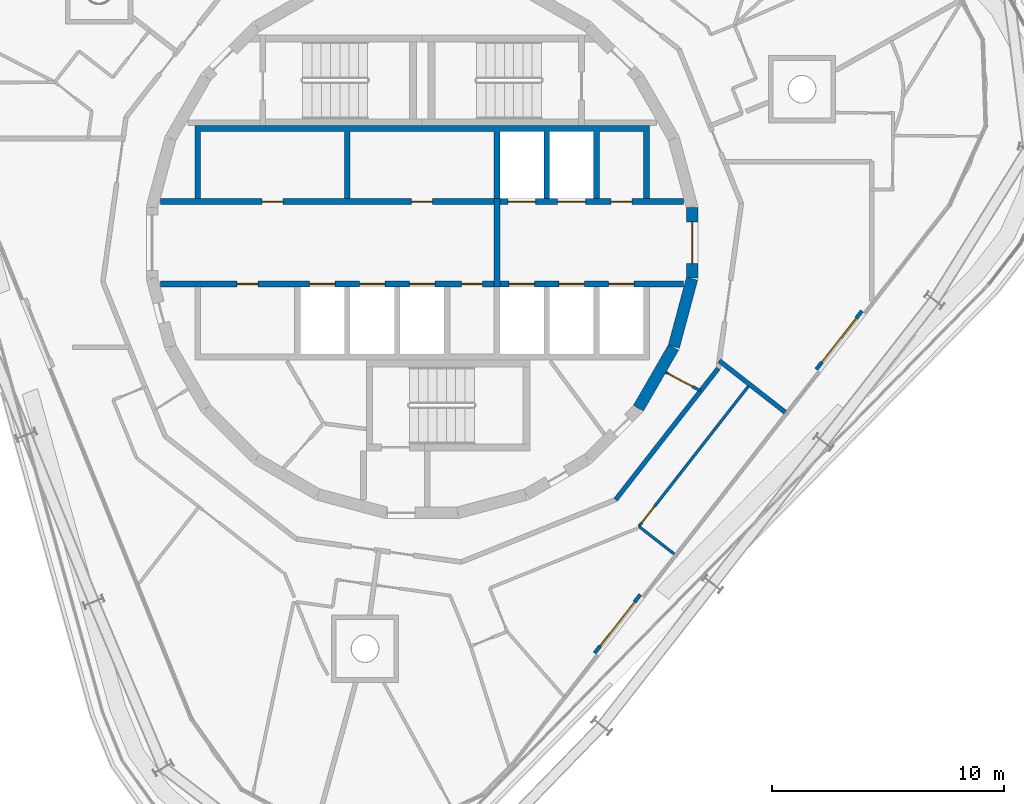
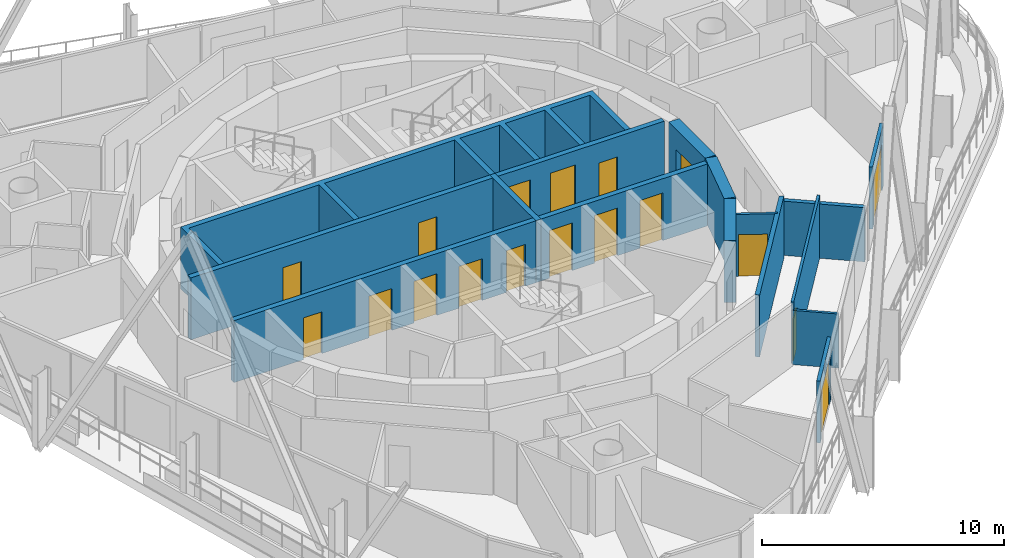
# One storey, part 11 of 17: 18 doors, 16 walls, 18 openings.
"""IFC4 building model written with IfcOpenShell, lengths in metres."""

from ifc_helpers import new_model, si_unit, direction, frame, frame_2d, origin, place, context, subcontext, project, spatial, polyline, rectangle, outline, extrude, material, layer, layer_set, type_object, element, fill, save


model = new_model("IFC4")

# Units and contexts
model_context = context("Model", 3, precision=1e-05, world=origin(), true_north=direction((0.0, 1.0)))
body_context = subcontext(model_context, "Body", "Model", "MODEL_VIEW")
ifc_project = project(units=[si_unit("LENGTHUNIT", "METRE"), si_unit("AREAUNIT", "SQUARE_METRE"), si_unit("VOLUMEUNIT", "CUBIC_METRE"), si_unit("PLANEANGLEUNIT", "RADIAN"), si_unit("MASSUNIT", "GRAM", prefix="KILO")], contexts=[model_context])

# Site, building, storey
site_placement = place(None, origin())
site = spatial("IfcSite", under=ifc_project, at=site_placement, CompositionType="ELEMENT")
building_placement = place(site_placement, origin())
building = spatial("IfcBuilding", under=site, at=building_placement, Name="Spindle Arch Residences", CompositionType="ELEMENT")
storey_placement = place(building_placement, frame((0.0, 0.0, 333.0)))
storey = spatial("IfcBuildingStorey", under=building, at=storey_placement, Name="L85", CompositionType="ELEMENT", Elevation=333.0)

# Walls
ifc_material_1 = material(Name="Concrete C50/60", Category="concrete")
ifc_layer_1 = layer(ifc_material_1, 0.5)
ifc_layer_set_1 = layer_set([ifc_layer_1], Name="Core outline wall 500")
wall_type_1 = type_object("IfcWallType", Name="Core outline wall 500", PredefinedType="SHEAR", material=ifc_layer_set_1)
for number, where, z_axis, x_axis, name in (
    (1, (9.32861328125, -7.13671875, 0.0), (0.0, 0.0, 1.0), (0.500087131594, 0.865975092491, 0.0), "Core outline wall 4"),
    (2, (10.858154296875, -4.479248046875, 0.0), (0.0, 0.0, 1.0), (0.258734743916, 0.965948410781, 0.0), "Core outline wall 5"),
):
    element("IfcWall", number, at=place(storey_placement, frame(where, z_axis=z_axis, x_axis=x_axis)), inside=storey, type_object=wall_type_1, Name=name, PredefinedType="SHEAR", context=body_context, shape_type="SweptSolid", body=[
        extrude(rectangle(XDim=3.03271484375, YDim=0.5, at=frame_2d((1.516357421875, 0.0))), origin(), (0.0, 0.0, 1.0), 3.1201171875),
    ])

# Wall, opening, door
wall_1_placement = place(storey_placement, frame((11.647216796875, -1.516357421875, 0.0), z_axis=(0.0, 0.0, 1.0), x_axis=(0.0, 1.0, 0.0)))
wall_1 = element("IfcWall", 3, at=wall_1_placement, inside=storey, type_object=wall_type_1, Name="Core outline wall 6", PredefinedType="SHEAR", context=body_context, shape_type="SweptSolid", body=[
    extrude(rectangle(XDim=3.03271484375, YDim=0.5, at=frame_2d((1.516357421875, 0.0))), origin(), (0.0, 0.0, 1.0), 3.1201171875),
])
opening_1_placement = place(wall_1_placement, frame((0.6162109375, 0.0, 0.0)))
opening_1 = element("IfcOpeningElement", 4, at=opening_1_placement, cuts=wall_1, Name="Opening R9A0-FE01", PredefinedType="OPENING", context=body_context, shape_type="SweptSolid", body=[
    extrude(rectangle(XDim=1.800048828125, YDim=2.10009765625, at=frame_2d((0.89990234375, 1.050048828125))), frame((0.0, 0.260009765625, 0.0), z_axis=(0.0, -1.0, 0.0), x_axis=(1.0, 0.0, 0.0)), (0.0, 0.0, 1.0), 0.52001953125),
])
ifc_material_2 = material(Name="Steel, fire-resisting door", Category="steel")
door_type_1 = type_object("IfcDoorType", Name="Fire-lift lobby door 1800x2100", OperationType="DOUBLE_DOOR_SINGLE_SWING", PredefinedType="DOOR", material=ifc_material_2)
door_1_placement = place(opening_1_placement, origin())
door_1 = element("IfcDoor", 5, at=door_1_placement, inside=storey, type_object=door_type_1, Name="Fire-lift lobby door R9A0-FE01", OperationType="DOUBLE_DOOR_SINGLE_SWING", OverallHeight=2.10009765625, OverallWidth=1.800048828125, PredefinedType="DOOR", context=body_context, shape_type="SweptSolid", body=[
    extrude(rectangle(XDim=1.800048828125, YDim=2.10009765625, at=frame_2d((0.89990234375, 1.050048828125))), frame((0.0, 0.02490234375, 0.0), z_axis=(0.0, -1.0, 0.0), x_axis=(1.0, 0.0, 0.0)), (0.0, 0.0, 1.0), 0.050048828125),
])
fill(opening_1, door_1)

ifc_material_3 = material(Name="Plasterboard on steel studs", Category="steel")
ifc_layer_2 = layer(ifc_material_3, 0.1201171875)
ifc_layer_set_2 = layer_set([ifc_layer_2], Name="Corridor division wall 120")
wall_type_2 = type_object("IfcWallType", Name="Corridor division wall 120", PredefinedType="PARTITIONING", material=ifc_layer_set_2)
wall_2_placement = place(storey_placement, frame((10.510986328125, -5.5888671875, 0.0), z_axis=(0.0, 0.0, 1.0), x_axis=(0.882959677414, -0.469448834337, 0.0)))
wall_2 = element("IfcWall", 6, at=wall_2_placement, inside=storey, type_object=wall_type_2, Name="Corridor division wall R9A0-W002", PredefinedType="PARTITIONING", context=body_context, shape_type="SweptSolid", body=[
    extrude(rectangle(XDim=1.7021484375, YDim=0.1201171875, at=frame_2d((0.85107421875, 0.0))), origin(), (0.0, 0.0, 1.0), 3.1201171875),
])
opening_2_placement = place(wall_2_placement, frame((0.10009765625, 0.0, 0.0)))
opening_2 = element("IfcOpeningElement", 7, at=opening_2_placement, cuts=wall_2, Name="Opening R9A0-CD02", PredefinedType="OPENING", context=body_context, shape_type="SweptSolid", body=[
    extrude(rectangle(XDim=1.199951171875, YDim=2.10009765625, at=frame_2d((0.60009765625, 1.050048828125))), frame((0.0, 0.070068359375, 0.0), z_axis=(0.0, -1.0, 0.0), x_axis=(1.0, 0.0, 0.0)), (0.0, 0.0, 1.0), 0.14013671875),
])
ifc_material_4 = material(Name="Steel, fire-resisting door", Category="steel")
door_type_2 = type_object("IfcDoorType", Name="Corridor division door 1200x2100", OperationType="NOTDEFINED", PredefinedType="DOOR", material=ifc_material_4)
door_2_placement = place(opening_2_placement, origin())
door_2 = element("IfcDoor", 8, at=door_2_placement, inside=storey, type_object=door_type_2, Name="Corridor division door R9A0-CD02", OperationType="DOUBLE_DOOR_SINGLE_SWING", OverallHeight=2.10009765625, OverallWidth=1.199951171875, PredefinedType="DOOR", context=body_context, shape_type="SweptSolid", body=[
    extrude(rectangle(XDim=1.199951171875, YDim=2.10009765625, at=frame_2d((0.60009765625, 1.050048828125))), frame((0.0, 0.02490234375, 0.0), z_axis=(0.0, -1.0, 0.0), x_axis=(1.0, 0.0, 0.0)), (0.0, 0.0, 1.0), 0.050048828125),
])
fill(opening_2, door_2)

# Walls
ifc_material_5 = material(Name="Calcium silicate block, plastered")
ifc_layer_3 = layer(ifc_material_5, 0.199951171875)
ifc_layer_set_3 = layer_set([ifc_layer_3], Name="Corridor wall 200")
wall_type_3 = type_object("IfcWallType", Name="Corridor wall 200", PredefinedType="STANDARD", material=ifc_layer_set_3)
wall_3_placement = place(storey_placement, frame((8.348876953125, -11.0791015625, 0.0), z_axis=(0.0, 0.0, 1.0), x_axis=(0.615669112324, 0.78800478687, 0.0)))
element("IfcWall", 9, at=wall_3_placement, inside=storey, type_object=wall_type_3, Name="Corridor wall R9A0-W008", PredefinedType="STANDARD", context=body_context, shape_type="SweptSolid", body=[
    extrude(rectangle(XDim=7.18115234375, YDim=0.199951171875, at=frame_2d((3.590576171875, 0.0))), origin(), (0.0, 0.0, 1.0), 3.1201171875),
])
ifc_material_6 = material(Name="Calcium silicate block, plastered")
ifc_layer_4 = layer(ifc_material_6, 0.199951171875)
ifc_layer_set_4 = layer_set([ifc_layer_4], Name="Fire-lift lobby bay wall 200 under beam 2730")
wall_type_4 = type_object("IfcWallType", Name="Fire-lift lobby bay wall 200 under beam 2730", PredefinedType="STANDARD", material=ifc_layer_set_4)
wall_4_placement = place(storey_placement, frame((12.81689453125, -5.086181640625, 0.0), z_axis=(0.0, 0.0, 1.0), x_axis=(0.787994616725, -0.615682129034, 0.0)))
element("IfcWall", 10, at=wall_4_placement, inside=storey, type_object=wall_type_4, Name="Fire-lift lobby bay wall R9A0-W022", PredefinedType="STANDARD", context=body_context, shape_type="SweptSolid", body=[
    extrude(rectangle(XDim=3.607177734375, YDim=0.199951171875, at=frame_2d((1.8037109375, 0.0))), origin(), (0.0, 0.0, 1.0), 2.72998046875),
])

# Wall, openings, doors
ifc_material_7 = material(Name="Concrete C40/50", Category="concrete")
ifc_layer_5 = layer(ifc_material_7, 0.25)
ifc_layer_set_5 = layer_set([ifc_layer_5], Name="Fire-lift lobby wall 250")
wall_type_5 = type_object("IfcWallType", Name="Fire-lift lobby wall 250", PredefinedType="SHEAR", material=ifc_layer_set_5)
wall_5_placement = place(storey_placement, frame((3.35009765625, 1.77490234375, 0.0), z_axis=(0.0, 0.0, 1.0), x_axis=(1.0, 0.0, 0.0)))
wall_5 = element("IfcWall", 11, at=wall_5_placement, inside=storey, type_object=wall_type_5, Name="Lift shaft front wall NE", PredefinedType="SHEAR", context=body_context, shape_type="SweptSolid", body=[
    extrude(rectangle(XDim=7.929931640625, YDim=0.25, at=frame_2d((3.96484375, 0.0))), origin(), (0.0, 0.0, 1.0), 3.1201171875),
])
opening_3_placement = place(wall_5_placement, frame((0.35009765625, 0.0, 0.0)))
opening_3 = element("IfcOpeningElement", 12, at=opening_3_placement, cuts=wall_5, Name="Opening R9A0-SLD01", PredefinedType="OPENING", context=body_context, shape_type="SweptSolid", body=[
    extrude(rectangle(XDim=1.199951171875, YDim=2.39990234375, at=frame_2d((0.60009765625, 1.199951171875))), frame((0.0, 0.135009765625, 0.0), z_axis=(0.0, -1.0, 0.0), x_axis=(1.0, 0.0, 0.0)), (0.0, 0.0, 1.0), 0.27001953125),
])
opening_4_placement = place(wall_5_placement, frame((2.5, 0.0, 0.0)))
opening_4 = element("IfcOpeningElement", 13, at=opening_4_placement, cuts=wall_5, Name="Opening R9A0-SLD02", PredefinedType="OPENING", context=body_context, shape_type="SweptSolid", body=[
    extrude(rectangle(XDim=1.199951171875, YDim=2.39990234375, at=frame_2d((0.60009765625, 1.199951171875))), frame((0.0, 0.135009765625, 0.0), z_axis=(0.0, -1.0, 0.0), x_axis=(1.0, 0.0, 0.0)), (0.0, 0.0, 1.0), 0.27001953125),
])
opening_5_placement = place(wall_5_placement, frame((4.800048828125, 0.0, 0.0)))
opening_5 = element("IfcOpeningElement", 14, at=opening_5_placement, cuts=wall_5, Name="Opening R9A0-WD03", PredefinedType="OPENING", context=body_context, shape_type="SweptSolid", body=[
    extrude(rectangle(XDim=0.89990234375, YDim=2.10009765625, at=frame_2d((0.449951171875, 1.050048828125))), frame((0.0, 0.135009765625, 0.0), z_axis=(0.0, -1.0, 0.0), x_axis=(1.0, 0.0, 0.0)), (0.0, 0.0, 1.0), 0.27001953125),
])
ifc_material_8 = material(Name="Steel, fire-resisting landing door", Category="steel")
door_type_3 = type_object("IfcDoorType", Name="Service lift landing door 1200x2400", OperationType="DOUBLE_DOOR_SLIDING", PredefinedType="DOOR", material=ifc_material_8)
door_3_placement = place(opening_3_placement, origin())
door_3 = element("IfcDoor", 15, at=door_3_placement, inside=storey, type_object=door_type_3, Name="Service lift landing door R9A0-SLD01", OperationType="DOUBLE_DOOR_SLIDING", OverallHeight=2.39990234375, OverallWidth=1.199951171875, PredefinedType="DOOR", context=body_context, shape_type="SweptSolid", body=[
    extrude(rectangle(XDim=1.199951171875, YDim=2.39990234375, at=frame_2d((0.60009765625, 1.199951171875))), frame((0.0, 0.02490234375, 0.0), z_axis=(0.0, -1.0, 0.0), x_axis=(1.0, 0.0, 0.0)), (0.0, 0.0, 1.0), 0.050048828125),
])
fill(opening_3, door_3)
door_4_placement = place(opening_4_placement, origin())
door_4 = element("IfcDoor", 16, at=door_4_placement, inside=storey, type_object=door_type_3, Name="Service lift landing door R9A0-SLD02", OperationType="DOUBLE_DOOR_SLIDING", OverallHeight=2.39990234375, OverallWidth=1.199951171875, PredefinedType="DOOR", context=body_context, shape_type="SweptSolid", body=[
    extrude(rectangle(XDim=1.199951171875, YDim=2.39990234375, at=frame_2d((0.60009765625, 1.199951171875))), frame((0.0, 0.02490234375, 0.0), z_axis=(0.0, -1.0, 0.0), x_axis=(1.0, 0.0, 0.0)), (0.0, 0.0, 1.0), 0.050048828125),
])
fill(opening_4, door_4)
ifc_material_9 = material(Name="Steel, fire-resisting door", Category="steel")
door_type_4 = type_object("IfcDoorType", Name="Service room door 900x2100", OperationType="SINGLE_SWING_LEFT", PredefinedType="DOOR", material=ifc_material_9)
door_5_placement = place(opening_5_placement, origin())
door_5 = element("IfcDoor", 17, at=door_5_placement, inside=storey, type_object=door_type_4, Name="Service room door R9A0-WD03", OperationType="SINGLE_SWING_LEFT", OverallHeight=2.10009765625, OverallWidth=0.89990234375, PredefinedType="DOOR", context=body_context, shape_type="SweptSolid", body=[
    extrude(rectangle(XDim=0.89990234375, YDim=2.10009765625, at=frame_2d((0.449951171875, 1.050048828125))), frame((0.0, 0.02490234375, 0.0), z_axis=(0.0, -1.0, 0.0), x_axis=(1.0, 0.0, 0.0)), (0.0, 0.0, 1.0), 0.050048828125),
])
fill(opening_5, door_5)

# Wall
wall_6_placement = place(storey_placement, frame((3.22509765625, -1.89990234375, 0.0), z_axis=(0.0, 0.0, 1.0), x_axis=(0.0, 1.0, 0.0)))
element("IfcWall", 18, at=wall_6_placement, inside=storey, type_object=wall_type_5, Name="Fire-fighting lobby partition", PredefinedType="SHEAR", context=body_context, shape_type="SweptSolid", body=[
    extrude(rectangle(XDim=3.7998046875, YDim=0.25, at=frame_2d((1.89990234375, 0.0))), origin(), (0.0, 0.0, 1.0), 3.1201171875),
])

# Wall, openings, doors
ifc_material_10 = material(Name="Concrete C50/60", Category="concrete")
ifc_layer_6 = layer(ifc_material_10, 0.25)
ifc_layer_set_6 = layer_set([ifc_layer_6], Name="Fire-lift shaft wall 250")
wall_type_6 = type_object("IfcWallType", Name="Fire-lift shaft wall 250", PredefinedType="SHEAR", material=ifc_layer_set_6)
wall_7_placement = place(storey_placement, frame((3.35009765625, -1.77490234375, 0.0), z_axis=(0.0, 0.0, 1.0), x_axis=(1.0, 0.0, 0.0)))
wall_7 = element("IfcWall", 19, at=wall_7_placement, inside=storey, type_object=wall_type_6, Name="Lift shaft front wall SE", PredefinedType="SHEAR", context=body_context, shape_type="SweptSolid", body=[
    extrude(rectangle(XDim=7.929931640625, YDim=0.25, at=frame_2d((3.96484375, 0.0))), origin(), (0.0, 0.0, 1.0), 3.1201171875),
])
opening_6_placement = place(wall_7_placement, frame((0.39990234375, 0.0, 0.0)))
opening_6 = element("IfcOpeningElement", 20, at=opening_6_placement, cuts=wall_7, Name="Opening R9A0-FLD01", PredefinedType="OPENING", context=body_context, shape_type="SweptSolid", body=[
    extrude(rectangle(XDim=1.10009765625, YDim=2.39990234375, at=frame_2d((0.550048828125, 1.199951171875))), frame((0.0, 0.135009765625, 0.0), z_axis=(0.0, -1.0, 0.0), x_axis=(1.0, 0.0, 0.0)), (0.0, 0.0, 1.0), 0.27001953125),
])
opening_7_placement = place(wall_7_placement, frame((2.550048828125, 0.0, 0.0)))
opening_7 = element("IfcOpeningElement", 21, at=opening_7_placement, cuts=wall_7, Name="Opening R9A0-FLD02", PredefinedType="OPENING", context=body_context, shape_type="SweptSolid", body=[
    extrude(rectangle(XDim=1.10009765625, YDim=2.39990234375, at=frame_2d((0.550048828125, 1.199951171875))), frame((0.0, 0.135009765625, 0.0), z_axis=(0.0, -1.0, 0.0), x_axis=(1.0, 0.0, 0.0)), (0.0, 0.0, 1.0), 0.27001953125),
])
opening_8_placement = place(wall_7_placement, frame((4.699951171875, 0.0, 0.0)))
opening_8 = element("IfcOpeningElement", 22, at=opening_8_placement, cuts=wall_7, Name="Opening R9A0-FLD03", PredefinedType="OPENING", context=body_context, shape_type="SweptSolid", body=[
    extrude(rectangle(XDim=1.10009765625, YDim=2.39990234375, at=frame_2d((0.550048828125, 1.199951171875))), frame((0.0, 0.135009765625, 0.0), z_axis=(0.0, -1.0, 0.0), x_axis=(1.0, 0.0, 0.0)), (0.0, 0.0, 1.0), 0.27001953125),
])
ifc_material_11 = material(Name="Steel, fire-resisting landing door", Category="steel")
door_type_5 = type_object("IfcDoorType", Name="Fire-fighting lift landing door 1100x2400", OperationType="DOUBLE_DOOR_SLIDING", PredefinedType="DOOR", material=ifc_material_11)
door_6_placement = place(opening_6_placement, origin())
door_6 = element("IfcDoor", 23, at=door_6_placement, inside=storey, type_object=door_type_5, Name="Fire-fighting lift landing door R9A0-FLD01", OperationType="DOUBLE_DOOR_SLIDING", OverallHeight=2.39990234375, OverallWidth=1.10009765625, PredefinedType="DOOR", context=body_context, shape_type="SweptSolid", body=[
    extrude(rectangle(XDim=1.10009765625, YDim=2.39990234375, at=frame_2d((0.550048828125, 1.199951171875))), frame((0.0, 0.02490234375, 0.0), z_axis=(0.0, -1.0, 0.0), x_axis=(1.0, 0.0, 0.0)), (0.0, 0.0, 1.0), 0.050048828125),
])
fill(opening_6, door_6)
door_7_placement = place(opening_7_placement, origin())
door_7 = element("IfcDoor", 24, at=door_7_placement, inside=storey, type_object=door_type_5, Name="Fire-fighting lift landing door R9A0-FLD02", OperationType="DOUBLE_DOOR_SLIDING", OverallHeight=2.39990234375, OverallWidth=1.10009765625, PredefinedType="DOOR", context=body_context, shape_type="SweptSolid", body=[
    extrude(rectangle(XDim=1.10009765625, YDim=2.39990234375, at=frame_2d((0.550048828125, 1.199951171875))), frame((0.0, 0.02490234375, 0.0), z_axis=(0.0, -1.0, 0.0), x_axis=(1.0, 0.0, 0.0)), (0.0, 0.0, 1.0), 0.050048828125),
])
fill(opening_7, door_7)
door_8_placement = place(opening_8_placement, origin())
door_8 = element("IfcDoor", 25, at=door_8_placement, inside=storey, type_object=door_type_5, Name="Fire-fighting lift landing door R9A0-FLD03", OperationType="DOUBLE_DOOR_SLIDING", OverallHeight=2.39990234375, OverallWidth=1.10009765625, PredefinedType="DOOR", context=body_context, shape_type="SweptSolid", body=[
    extrude(rectangle(XDim=1.10009765625, YDim=2.39990234375, at=frame_2d((0.550048828125, 1.199951171875))), frame((0.0, 0.02490234375, 0.0), z_axis=(0.0, -1.0, 0.0), x_axis=(1.0, 0.0, 0.0)), (0.0, 0.0, 1.0), 0.050048828125),
])
fill(opening_8, door_8)

# Wall, opening, door
ifc_material_12 = material(Name="Plasterboard on steel studs", Category="steel")
ifc_layer_7 = layer(ifc_material_12, 0.1201171875)
ifc_layer_set_7 = layer_set([ifc_layer_7], Name="Flat partition 120")
wall_type_7 = type_object("IfcWallType", Name="Flat partition 120", PredefinedType="PARTITIONING", material=ifc_layer_set_7)
wall_8_placement = place(storey_placement, frame((9.350830078125, -12.23291015625, 0.0), z_axis=(0.0, 0.0, 1.0), x_axis=(0.615678207218, 0.787997680933, 0.0)))
wall_8 = element("IfcWall", 26, at=wall_8_placement, inside=storey, type_object=wall_type_7, Name="Flat partition R9A0-W087", PredefinedType="PARTITIONING", context=body_context, shape_type="SweptSolid", body=[
    extrude(rectangle(XDim=7.765380859375, YDim=0.1201171875, at=frame_2d((3.8828125, 0.0))), origin(), (0.0, 0.0, 1.0), 3.1201171875),
])
opening_9_placement = place(wall_8_placement, frame((0.199951171875, 0.0, 0.0)))
opening_9 = element("IfcOpeningElement", 27, at=opening_9_placement, cuts=wall_8, Name="Opening R9A0-ID20", PredefinedType="OPENING", context=body_context, shape_type="SweptSolid", body=[
    extrude(rectangle(XDim=0.89990234375, YDim=2.10009765625, at=frame_2d((0.449951171875, 1.050048828125))), frame((0.0, 0.070068359375, 0.0), z_axis=(0.0, -1.0, 0.0), x_axis=(1.0, 0.0, 0.0)), (0.0, 0.0, 1.0), 0.14013671875),
])
ifc_material_13 = material(Name="Timber door set", Category="wood")
door_type_6 = type_object("IfcDoorType", Name="Room door 900x2100", OperationType="NOTDEFINED", PredefinedType="DOOR", material=ifc_material_13)
door_9_placement = place(opening_9_placement, origin())
door_9 = element("IfcDoor", 28, at=door_9_placement, inside=storey, type_object=door_type_6, Name="Room door R9A0-ID20", OperationType="SINGLE_SWING_LEFT", OverallHeight=2.10009765625, OverallWidth=0.89990234375, PredefinedType="DOOR", context=body_context, shape_type="SweptSolid", body=[
    extrude(rectangle(XDim=0.89990234375, YDim=2.10009765625, at=frame_2d((0.449951171875, 1.050048828125))), frame((0.0, 0.02490234375, 0.0), z_axis=(0.0, -1.0, 0.0), x_axis=(1.0, 0.0, 0.0)), (0.0, 0.0, 1.0), 0.050048828125),
])
fill(opening_9, door_9)

# Wall
ifc_material_14 = material(Name="Plasterboard on steel studs", Category="steel")
ifc_layer_8 = layer(ifc_material_14, 0.1201171875)
ifc_layer_set_8 = layer_set([ifc_layer_8], Name="Flat partition 120 under beam 2730")
wall_type_8 = type_object("IfcWallType", Name="Flat partition 120 under beam 2730", PredefinedType="PARTITIONING", material=ifc_layer_set_8)
wall_9_placement = place(storey_placement, frame((10.87841796875, -13.426513671875, 0.0), z_axis=(0.0, 0.0, 1.0), x_axis=(-0.787980458379, 0.615700249483, 0.0)))
element("IfcWall", 29, at=wall_9_placement, inside=storey, type_object=wall_type_8, Name="Flat partition R9A0-W091", PredefinedType="PARTITIONING", context=body_context, shape_type="SweptSolid", body=[
    extrude(rectangle(XDim=1.938720703125, YDim=0.1201171875, at=frame_2d((0.96923828125, 0.0))), origin(), (0.0, 0.0, 1.0), 2.72998046875),
])

# Wall, opening, door
ifc_material_15 = material(Name="Non-combustible mineral wool insulated aluminium faced external wall (K0)", Category="aluminium")
ifc_layer_9 = layer(ifc_material_15, 0.159912109375)
ifc_layer_set_9 = layer_set([ifc_layer_9], Name="Insulated external wall panel 160")
wall_type_9 = type_object("IfcWallType", Name="Insulated external wall panel 160", PredefinedType="STANDARD", material=ifc_layer_set_9)
wall_10_placement = place(storey_placement, frame((7.439697265625, -17.69775390625, 0.0), z_axis=(0.0, 0.0, 1.0), x_axis=(0.615666248856, 0.788007024093, 0.0)))
wall_10 = element("IfcWall", 30, at=wall_10_placement, inside=storey, type_object=wall_type_9, Name="External wall L85 bay 19", PredefinedType="STANDARD", context=body_context, shape_type="SweptSolid", body=[
    extrude(rectangle(XDim=3.2001953125, YDim=0.159912109375, at=frame_2d((1.60009765625, 0.0))), origin(), (0.0, 0.0, 1.0), 3.1201171875),
])
opening_10_placement = place(wall_10_placement, frame((0.39990234375, 0.0, 0.0)))
opening_10 = element("IfcOpeningElement", 31, at=opening_10_placement, cuts=wall_10, Name="Opening BD19", PredefinedType="OPENING", context=body_context, shape_type="SweptSolid", body=[
    extrude(rectangle(XDim=2.39990234375, YDim=2.39990234375, at=frame_2d((1.199951171875, 1.199951171875))), frame((0.0, 0.08984375, 0.0), z_axis=(0.0, -1.0, 0.0), x_axis=(1.0, 0.0, 0.0)), (0.0, 0.0, 1.0), 0.179931640625),
])
ifc_material_16 = material(Name="Bronze aluminium frame, tinted double glazing", Category="aluminium")
door_type_7 = type_object("IfcDoorType", Name="Sliding glazed balcony door 2400x2400", OperationType="DOUBLE_DOOR_SLIDING", PredefinedType="DOOR", material=ifc_material_16)
door_10_placement = place(opening_10_placement, origin())
door_10 = element("IfcDoor", 32, at=door_10_placement, inside=storey, type_object=door_type_7, Name="Balcony door BD19", OperationType="DOUBLE_DOOR_SLIDING", OverallHeight=2.39990234375, OverallWidth=2.39990234375, PredefinedType="DOOR", context=body_context, shape_type="SweptSolid", body=[
    extrude(rectangle(XDim=2.39990234375, YDim=2.39990234375, at=frame_2d((1.199951171875, 1.199951171875))), frame((0.0, 0.02490234375, 0.0), z_axis=(0.0, -1.0, 0.0), x_axis=(1.0, 0.0, 0.0)), (0.0, 0.0, 1.0), 0.050048828125),
])
fill(opening_10, door_10)

wall_11_placement = place(storey_placement, frame((17.001708984375, -5.458984375, 0.0), z_axis=(0.0, 0.0, 1.0), x_axis=(0.615666248856, 0.788007024093, 0.0)))
wall_11 = element("IfcWall", 33, at=wall_11_placement, inside=storey, type_object=wall_type_9, Name="External wall L85 bay 1", PredefinedType="STANDARD", context=body_context, shape_type="SweptSolid", body=[
    extrude(rectangle(XDim=3.2001953125, YDim=0.159912109375, at=frame_2d((1.60009765625, 0.0))), origin(), (0.0, 0.0, 1.0), 3.1201171875),
])
opening_11_placement = place(wall_11_placement, frame((0.39990234375, 0.0, 0.0)))
opening_11 = element("IfcOpeningElement", 34, at=opening_11_placement, cuts=wall_11, Name="Opening BD01", PredefinedType="OPENING", context=body_context, shape_type="SweptSolid", body=[
    extrude(rectangle(XDim=2.39990234375, YDim=2.39990234375, at=frame_2d((1.199951171875, 1.199951171875))), frame((0.0, 0.08984375, 0.0), z_axis=(0.0, -1.0, 0.0), x_axis=(1.0, 0.0, 0.0)), (0.0, 0.0, 1.0), 0.179931640625),
])
door_11_placement = place(opening_11_placement, origin())
door_11 = element("IfcDoor", 35, at=door_11_placement, inside=storey, type_object=door_type_7, Name="Balcony door BD01", OperationType="DOUBLE_DOOR_SLIDING", OverallHeight=2.39990234375, OverallWidth=2.39990234375, PredefinedType="DOOR", context=body_context, shape_type="SweptSolid", body=[
    extrude(rectangle(XDim=2.39990234375, YDim=2.39990234375, at=frame_2d((1.199951171875, 1.199951171875))), frame((0.0, 0.02490234375, 0.0), z_axis=(0.0, -1.0, 0.0), x_axis=(1.0, 0.0, 0.0)), (0.0, 0.0, 1.0), 0.050048828125),
])
fill(opening_11, door_11)

# Wall, openings, doors
ifc_material_17 = material(Name="Concrete C50/60", Category="concrete")
ifc_layer_10 = layer(ifc_material_17, 0.25)
ifc_layer_set_10 = layer_set([ifc_layer_10], Name="Lift shaft wall 250")
wall_type_10 = type_object("IfcWallType", Name="Lift shaft wall 250", PredefinedType="SHEAR", material=ifc_layer_set_10)
wall_12_placement = place(storey_placement, frame((-11.280029296875, 1.77490234375, 0.0), z_axis=(0.0, 0.0, 1.0), x_axis=(1.0, 0.0, 0.0)))
wall_12 = element("IfcWall", 36, at=wall_12_placement, inside=storey, type_object=wall_type_10, Name="Lift shaft front wall NW", PredefinedType="SHEAR", context=body_context, shape_type="SweptSolid", body=[
    extrude(rectangle(XDim=14.380126953125, YDim=0.25, at=frame_2d((7.18994140625, 0.0))), origin(), (0.0, 0.0, 1.0), 3.1201171875),
])
opening_12_placement = place(wall_12_placement, frame((4.3798828125, 0.0, 0.0)))
opening_12 = element("IfcOpeningElement", 37, at=opening_12_placement, cuts=wall_12, Name="Opening R9A0-WD01", PredefinedType="OPENING", context=body_context, shape_type="SweptSolid", body=[
    extrude(rectangle(XDim=0.89990234375, YDim=2.10009765625, at=frame_2d((0.449951171875, 1.050048828125))), frame((0.0, 0.135009765625, 0.0), z_axis=(0.0, -1.0, 0.0), x_axis=(1.0, 0.0, 0.0)), (0.0, 0.0, 1.0), 0.27001953125),
])
opening_13_placement = place(wall_12_placement, frame((10.830078125, 0.0, 0.0)))
opening_13 = element("IfcOpeningElement", 38, at=opening_13_placement, cuts=wall_12, Name="Opening R9A0-WD02", PredefinedType="OPENING", context=body_context, shape_type="SweptSolid", body=[
    extrude(rectangle(XDim=0.89990234375, YDim=2.10009765625, at=frame_2d((0.449951171875, 1.050048828125))), frame((0.0, 0.135009765625, 0.0), z_axis=(0.0, -1.0, 0.0), x_axis=(1.0, 0.0, 0.0)), (0.0, 0.0, 1.0), 0.27001953125),
])
door_12_placement = place(opening_12_placement, origin())
door_12 = element("IfcDoor", 39, at=door_12_placement, inside=storey, type_object=door_type_4, Name="Service room door R9A0-WD01", OperationType="SINGLE_SWING_LEFT", OverallHeight=2.10009765625, OverallWidth=0.89990234375, PredefinedType="DOOR", context=body_context, shape_type="SweptSolid", body=[
    extrude(rectangle(XDim=0.89990234375, YDim=2.10009765625, at=frame_2d((0.449951171875, 1.050048828125))), frame((0.0, 0.02490234375, 0.0), z_axis=(0.0, -1.0, 0.0), x_axis=(1.0, 0.0, 0.0)), (0.0, 0.0, 1.0), 0.050048828125),
])
fill(opening_12, door_12)
door_13_placement = place(opening_13_placement, origin())
door_13 = element("IfcDoor", 40, at=door_13_placement, inside=storey, type_object=door_type_4, Name="Service room door R9A0-WD02", OperationType="SINGLE_SWING_RIGHT", OverallHeight=2.10009765625, OverallWidth=0.89990234375, PredefinedType="DOOR", context=body_context, shape_type="SweptSolid", body=[
    extrude(rectangle(XDim=0.89990234375, YDim=2.10009765625, at=frame_2d((0.449951171875, 1.050048828125))), frame((0.0, 0.02490234375, 0.0), z_axis=(0.0, -1.0, 0.0), x_axis=(1.0, 0.0, 0.0)), (0.0, 0.0, 1.0), 0.050048828125),
])
fill(opening_13, door_13)

wall_13_placement = place(storey_placement, frame((-11.280029296875, -1.77490234375, 0.0), z_axis=(0.0, 0.0, 1.0), x_axis=(1.0, 0.0, 0.0)))
wall_13 = element("IfcWall", 41, at=wall_13_placement, inside=storey, type_object=wall_type_10, Name="Lift shaft front wall SW", PredefinedType="SHEAR", context=body_context, shape_type="SweptSolid", body=[
    extrude(rectangle(XDim=14.380126953125, YDim=0.25, at=frame_2d((7.18994140625, 0.0))), origin(), (0.0, 0.0, 1.0), 3.1201171875),
])
opening_14_placement = place(wall_13_placement, frame((6.429931640625, 0.0, 0.0)))
opening_14 = element("IfcOpeningElement", 42, at=opening_14_placement, cuts=wall_13, Name="Opening R9A0-LD01", PredefinedType="OPENING", context=body_context, shape_type="SweptSolid", body=[
    extrude(rectangle(XDim=1.10009765625, YDim=2.10009765625, at=frame_2d((0.550048828125, 1.050048828125))), frame((0.0, 0.135009765625, 0.0), z_axis=(0.0, -1.0, 0.0), x_axis=(1.0, 0.0, 0.0)), (0.0, 0.0, 1.0), 0.27001953125),
])
opening_15_placement = place(wall_13_placement, frame((8.580078125, 0.0, 0.0)))
opening_15 = element("IfcOpeningElement", 43, at=opening_15_placement, cuts=wall_13, Name="Opening R9A0-LD02", PredefinedType="OPENING", context=body_context, shape_type="SweptSolid", body=[
    extrude(rectangle(XDim=1.10009765625, YDim=2.10009765625, at=frame_2d((0.550048828125, 1.050048828125))), frame((0.0, 0.135009765625, 0.0), z_axis=(0.0, -1.0, 0.0), x_axis=(1.0, 0.0, 0.0)), (0.0, 0.0, 1.0), 0.27001953125),
])
opening_16_placement = place(wall_13_placement, frame((10.72998046875, 0.0, 0.0)))
opening_16 = element("IfcOpeningElement", 44, at=opening_16_placement, cuts=wall_13, Name="Opening R9A0-LD03", PredefinedType="OPENING", context=body_context, shape_type="SweptSolid", body=[
    extrude(rectangle(XDim=1.10009765625, YDim=2.10009765625, at=frame_2d((0.550048828125, 1.050048828125))), frame((0.0, 0.135009765625, 0.0), z_axis=(0.0, -1.0, 0.0), x_axis=(1.0, 0.0, 0.0)), (0.0, 0.0, 1.0), 0.27001953125),
])
opening_17_placement = place(wall_13_placement, frame((3.304931640625, 0.0, 0.0)))
opening_17 = element("IfcOpeningElement", 45, at=opening_17_placement, cuts=wall_13, Name="Opening R9A0-WD04", PredefinedType="OPENING", context=body_context, shape_type="SweptSolid", body=[
    extrude(rectangle(XDim=0.89990234375, YDim=2.10009765625, at=frame_2d((0.449951171875, 1.050048828125))), frame((0.0, 0.135009765625, 0.0), z_axis=(0.0, -1.0, 0.0), x_axis=(1.0, 0.0, 0.0)), (0.0, 0.0, 1.0), 0.27001953125),
])
opening_18_placement = place(wall_13_placement, frame((12.97998046875, 0.0, 0.0)))
opening_18 = element("IfcOpeningElement", 46, at=opening_18_placement, cuts=wall_13, Name="Opening R9A0-WD05", PredefinedType="OPENING", context=body_context, shape_type="SweptSolid", body=[
    extrude(rectangle(XDim=0.89990234375, YDim=2.10009765625, at=frame_2d((0.449951171875, 1.050048828125))), frame((0.0, 0.135009765625, 0.0), z_axis=(0.0, -1.0, 0.0), x_axis=(1.0, 0.0, 0.0)), (0.0, 0.0, 1.0), 0.27001953125),
])
ifc_material_18 = material(Name="Steel, fire-resisting landing door", Category="steel")
door_type_8 = type_object("IfcDoorType", Name="Lift landing door 1100x2100", OperationType="DOUBLE_DOOR_SLIDING", PredefinedType="DOOR", material=ifc_material_18)
door_14_placement = place(opening_14_placement, origin())
door_14 = element("IfcDoor", 47, at=door_14_placement, inside=storey, type_object=door_type_8, Name="Lift landing door R9A0-LD01", OperationType="DOUBLE_DOOR_SLIDING", OverallHeight=2.10009765625, OverallWidth=1.10009765625, PredefinedType="DOOR", context=body_context, shape_type="SweptSolid", body=[
    extrude(rectangle(XDim=1.10009765625, YDim=2.10009765625, at=frame_2d((0.550048828125, 1.050048828125))), frame((0.0, 0.02490234375, 0.0), z_axis=(0.0, -1.0, 0.0), x_axis=(1.0, 0.0, 0.0)), (0.0, 0.0, 1.0), 0.050048828125),
])
fill(opening_14, door_14)
door_15_placement = place(opening_15_placement, origin())
door_15 = element("IfcDoor", 48, at=door_15_placement, inside=storey, type_object=door_type_8, Name="Lift landing door R9A0-LD02", OperationType="DOUBLE_DOOR_SLIDING", OverallHeight=2.10009765625, OverallWidth=1.10009765625, PredefinedType="DOOR", context=body_context, shape_type="SweptSolid", body=[
    extrude(rectangle(XDim=1.10009765625, YDim=2.10009765625, at=frame_2d((0.550048828125, 1.050048828125))), frame((0.0, 0.02490234375, 0.0), z_axis=(0.0, -1.0, 0.0), x_axis=(1.0, 0.0, 0.0)), (0.0, 0.0, 1.0), 0.050048828125),
])
fill(opening_15, door_15)
door_16_placement = place(opening_16_placement, origin())
door_16 = element("IfcDoor", 49, at=door_16_placement, inside=storey, type_object=door_type_8, Name="Lift landing door R9A0-LD03", OperationType="DOUBLE_DOOR_SLIDING", OverallHeight=2.10009765625, OverallWidth=1.10009765625, PredefinedType="DOOR", context=body_context, shape_type="SweptSolid", body=[
    extrude(rectangle(XDim=1.10009765625, YDim=2.10009765625, at=frame_2d((0.550048828125, 1.050048828125))), frame((0.0, 0.02490234375, 0.0), z_axis=(0.0, -1.0, 0.0), x_axis=(1.0, 0.0, 0.0)), (0.0, 0.0, 1.0), 0.050048828125),
])
fill(opening_16, door_16)
door_17_placement = place(opening_17_placement, origin())
door_17 = element("IfcDoor", 50, at=door_17_placement, inside=storey, type_object=door_type_4, Name="Service room door R9A0-WD04", OperationType="SINGLE_SWING_RIGHT", OverallHeight=2.10009765625, OverallWidth=0.89990234375, PredefinedType="DOOR", context=body_context, shape_type="SweptSolid", body=[
    extrude(rectangle(XDim=0.89990234375, YDim=2.10009765625, at=frame_2d((0.449951171875, 1.050048828125))), frame((0.0, 0.02490234375, 0.0), z_axis=(0.0, -1.0, 0.0), x_axis=(1.0, 0.0, 0.0)), (0.0, 0.0, 1.0), 0.050048828125),
])
fill(opening_17, door_17)
door_18_placement = place(opening_18_placement, origin())
door_18 = element("IfcDoor", 51, at=door_18_placement, inside=storey, type_object=door_type_4, Name="Service room door R9A0-WD05", OperationType="SINGLE_SWING_LEFT", OverallHeight=2.10009765625, OverallWidth=0.89990234375, PredefinedType="DOOR", context=body_context, shape_type="SweptSolid", body=[
    extrude(rectangle(XDim=0.89990234375, YDim=2.10009765625, at=frame_2d((0.449951171875, 1.050048828125))), frame((0.0, 0.02490234375, 0.0), z_axis=(0.0, -1.0, 0.0), x_axis=(1.0, 0.0, 0.0)), (0.0, 0.0, 1.0), 0.050048828125),
])
fill(opening_18, door_18)

# Wall
ifc_material_19 = material(Name="Concrete C50/60", Category="concrete")
wall_type_11 = type_object("IfcWallType", Name="Lift shaft wall profile", PredefinedType="SHEAR", material=ifc_material_19)
wall_14_placement = place(storey_placement, origin())
element("IfcWall", 52, at=wall_14_placement, inside=storey, type_object=wall_type_11, Name="Lift shaft walls N", PredefinedType="SHEAR", context=body_context, shape_type="SweptSolid", body=[
    extrude(outline(polyline([(-9.800048828125, 1.89990234375), (-9.550048828125, 1.89990234375), (-9.550048828125, 4.800048828125), (-3.35009765625, 4.800048828125), (-3.35009765625, 1.89990234375), (-3.10009765625, 1.89990234375), (-3.10009765625, 4.800048828125), (3.10009765625, 4.800048828125), (3.10009765625, 1.89990234375), (3.35009765625, 1.89990234375), (3.35009765625, 4.800048828125), (5.25, 4.800048828125), (5.25, 1.89990234375), (5.5, 1.89990234375), (5.5, 4.800048828125), (7.39990234375, 4.800048828125), (7.39990234375, 1.89990234375), (7.64990234375, 1.89990234375), (7.64990234375, 4.800048828125), (9.550048828125, 4.800048828125), (9.550048828125, 1.89990234375), (9.800048828125, 1.89990234375), (9.800048828125, 4.800048828125), (9.800048828125, 5.050048828125), (-9.800048828125, 5.050048828125), (-9.800048828125, 4.800048828125), (-9.800048828125, 1.89990234375)])), origin(), (0.0, 0.0, 1.0), 3.1201171875),
])

save(model, "model.ifc")
